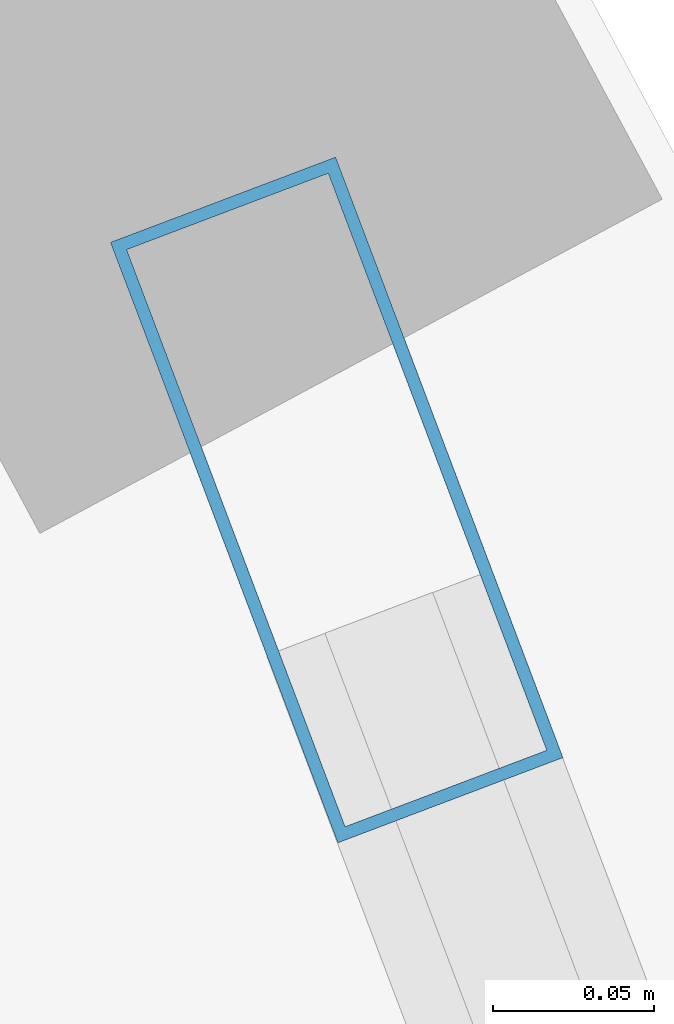
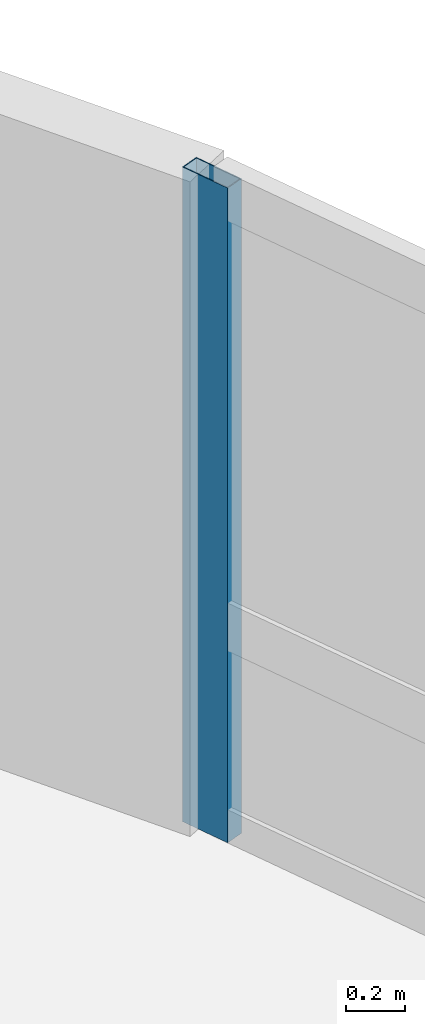
# One storey, part 12 of 23: 1 member, 1 element without a shape of its own.
"""IFC4 building model written with IfcOpenShell, lengths in metres."""

from ifc_helpers import new_model, si_unit, direction, frame, origin, origin_2d, place, context, subcontext, project, spatial, hollow_rectangle, extrude, material, layer, layer_set, material_profile, profile_set, type_object, element, aggregate, save


model = new_model("IFC4")

# Units and contexts
model_context = context("Model", 3, precision=1e-05, world=origin(), true_north=direction((0.0, 1.0)))
body_context = subcontext(model_context, "Body", "Model", "MODEL_VIEW")
ifc_project = project(units=[si_unit("LENGTHUNIT", "METRE"), si_unit("AREAUNIT", "SQUARE_METRE"), si_unit("VOLUMEUNIT", "CUBIC_METRE"), si_unit("PLANEANGLEUNIT", "RADIAN"), si_unit("MASSUNIT", "GRAM", prefix="KILO")], contexts=[model_context])

# Site, building, storey
site_placement = place(None, origin())
site = spatial("IfcSite", under=ifc_project, at=site_placement, CompositionType="ELEMENT")
building_placement = place(site_placement, origin())
building = spatial("IfcBuilding", under=site, at=building_placement, Name="Varnelok Gate Tower", CompositionType="ELEMENT")
storey_placement = place(building_placement, frame((0.0, 0.0, 227.5)))
storey = spatial("IfcBuildingStorey", under=building, at=storey_placement, Name="L58", CompositionType="ELEMENT", Elevation=227.5)

# Curtain wall, member
ifc_material = material(Name="Anodized Aluminum Alloy 6063-T6", Category="aluminium")
ifc_layer = layer(ifc_material, 0.179931640625)
ifc_layer_set = layer_set([ifc_layer], Name="Anodized Aluminum Alloy 6063-T6")
curtain_wall_type = type_object("IfcCurtainWallType", Name="CW4-RESIDENCE-VISION", PredefinedType="USERDEFINED", material=ifc_layer_set)
curtain_wall_placement = place(storey_placement, origin())
curtain_wall = element("IfcCurtainWall", 1, at=curtain_wall_placement, inside=storey, type_object=curtain_wall_type, Name="L58 East End Vision Curtain Wall", ObjectType="UNITISED CURTAIN WALL", PredefinedType="USERDEFINED")
ifc_material_profile = material_profile(ifc_material, hollow_rectangle(XDim=0.074951171875, YDim=0.199951171875, WallThickness=0.00390625, at=origin_2d()), Name="ALU200X75X4")
ifc_profile_set = profile_set([ifc_material_profile], Name="Anodized Aluminum Alloy 6063-T6")
member_type = type_object("IfcMemberType", Name="CW-MULL-200", PredefinedType="MULLION", material=ifc_profile_set)
member_placement = place(storey_placement, frame((64.514892578125, 51.5244140625, 0.0), z_axis=(0.0, 0.0, 1.0), x_axis=(0.935221557832, 0.354063042079, 0.0)))
member = element("IfcMember", 2, at=member_placement, type_object=member_type, Name="CW4 mullion 1", PredefinedType="MULLION", context=body_context, shape_type="SweptSolid", body=[
    extrude(hollow_rectangle(XDim=0.074951171875, YDim=0.199951171875, WallThickness=0.00390625, at=origin_2d()), origin(), (0.0, 0.0, 1.0), 2.72998046875),
])
aggregate(curtain_wall, [member])

save(model, "model.ifc")
